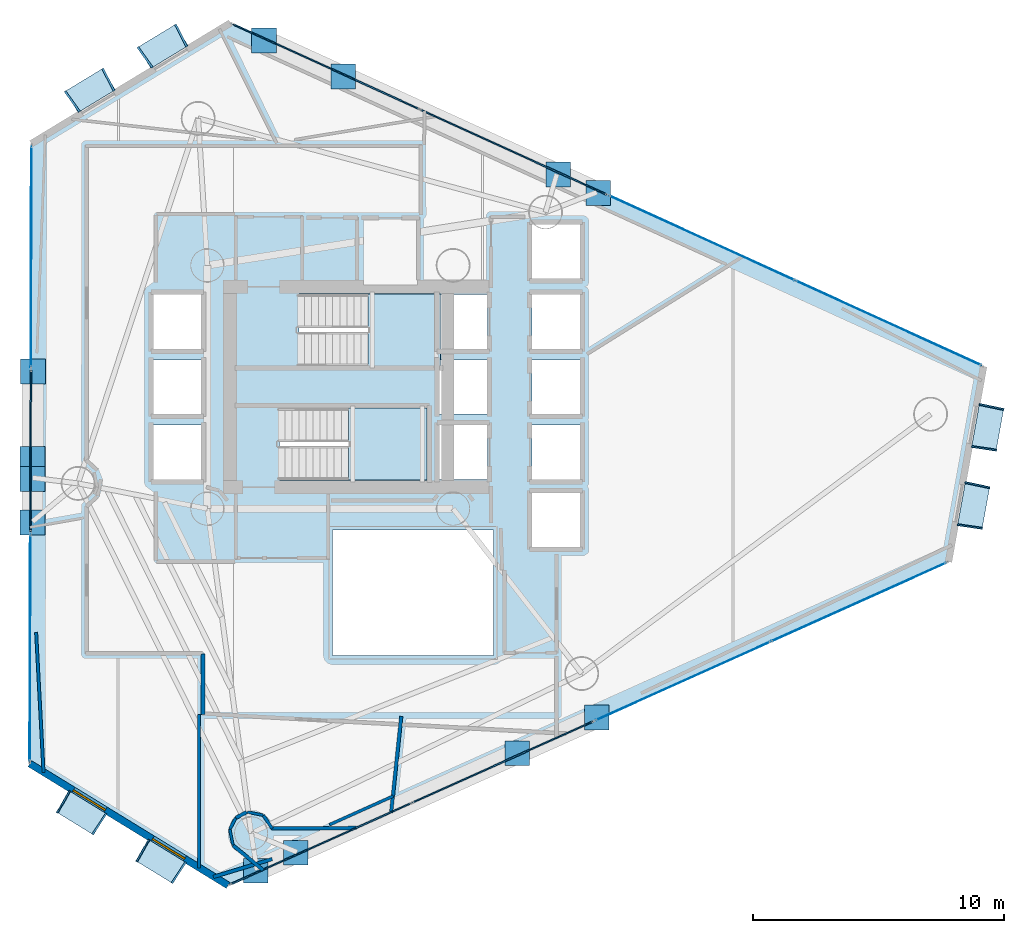
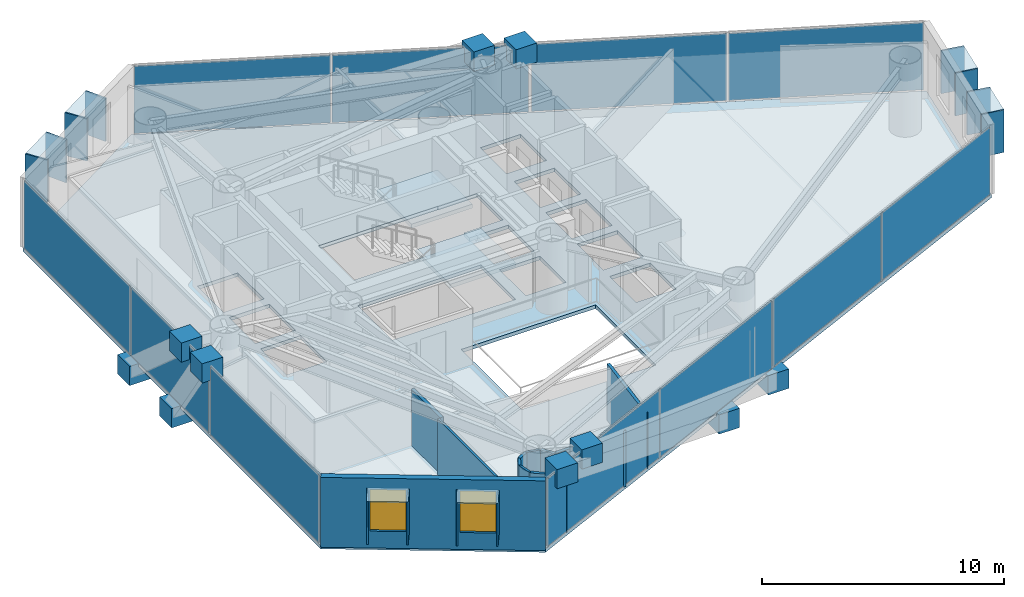
# One storey, part 17 of 23: 41 plates, 14 walls, 3 slabs, 2 windows, 2 openings, 9 elements without a shape of their own.
"""IFC4 building model written with IfcOpenShell, lengths in metres."""

from ifc_helpers import new_model, si_unit, direction, frame, frame_2d, origin, origin_2d, place, context, subcontext, project, spatial, polyline, rectangle, outline, extrude, material, layer, layer_set, type_object, element, fill, aggregate, save


model = new_model("IFC4")

# Units and contexts
model_context = context("Model", 3, precision=1e-05, world=origin(), true_north=direction((0.0, 1.0)))
body_context = subcontext(model_context, "Body", "Model", "MODEL_VIEW")
ifc_project = project(units=[si_unit("LENGTHUNIT", "METRE"), si_unit("AREAUNIT", "SQUARE_METRE"), si_unit("VOLUMEUNIT", "CUBIC_METRE"), si_unit("PLANEANGLEUNIT", "RADIAN"), si_unit("MASSUNIT", "GRAM", prefix="KILO")], contexts=[model_context])

# Site, building, storey
site_placement = place(None, origin())
site = spatial("IfcSite", under=ifc_project, at=site_placement, CompositionType="ELEMENT")
building_placement = place(site_placement, origin())
building = spatial("IfcBuilding", under=site, at=building_placement, Name="Qianvela Tower", CompositionType="ELEMENT")
storey_placement = place(building_placement, frame((0.0, 0.0, 147.60009765625)))
storey = spatial("IfcBuildingStorey", under=building, at=storey_placement, Name="L37", CompositionType="ELEMENT", Elevation=147.60009765625)

# Curtain wall, plates
ifc_material_1 = material(Name="Anodised Architectural Aluminium and Insulated Spandrel Panel", Category="aluminium")
ifc_layer_1 = layer(ifc_material_1, 0.179931640625)
ifc_layer_set_1 = layer_set([ifc_layer_1], Name="Anodised Architectural Aluminium and Insulated Spandrel Panel")
curtain_wall_type_1 = type_object("IfcCurtainWallType", Name="CW-BRACEBAY", PredefinedType="USERDEFINED", material=ifc_layer_set_1)
curtain_wall_1_placement = place(storey_placement, origin())
curtain_wall_1 = element("IfcCurtainWall", 1, at=curtain_wall_1_placement, inside=storey, type_object=curtain_wall_type_1, Name="L37 CW-BRACEBAY Curtain Wall 02B", ObjectType="CURTAIN_WALL_SYSTEM", PredefinedType="USERDEFINED")
ifc_material_2 = material(Name="Insulated Aluminium Spandrel Panel with Mineral-Wool Backpan", Category="aluminium")
ifc_layer_2 = layer(ifc_material_2, 0.06005859375)
ifc_layer_set_2 = layer_set([ifc_layer_2], Name="Insulated Aluminium Spandrel Panel with Mineral-Wool Backpan")
plate_type_1 = type_object("IfcPlateType", Name="CW-BRACEBAY-PNL", PredefinedType="CURTAIN_PANEL", material=ifc_layer_set_2)
plate_1_placement = place(storey_placement, frame((40.81103515625, 38.06689453125, 0.06494140625), z_axis=(0.0, 0.0, 1.0), x_axis=(-0.909863945078, 0.414906738251, 0.0)))
plate_1 = element("IfcPlate", 2, at=plate_1_placement, type_object=plate_type_1, Name="CW-9 panel 1.1", PredefinedType="CURTAIN_PANEL", context=body_context, shape_type="SweptSolid", body=[
    extrude(rectangle(XDim=8.149169921875, YDim=0.06005859375, at=origin_2d()), origin(), (0.0, 0.0, 1.0), 3.389892578125),
])
plate_2_placement = place(storey_placement, frame((33.337158203125, 41.474853515625, 0.06494140625), z_axis=(0.0, 0.0, 1.0), x_axis=(-0.909863945078, 0.414906738251, 0.0)))
plate_2 = element("IfcPlate", 3, at=plate_2_placement, type_object=plate_type_1, Name="CW-9 panel 2.1", PredefinedType="CURTAIN_PANEL", context=body_context, shape_type="SweptSolid", body=[
    extrude(rectangle(XDim=8.149169921875, YDim=0.06005859375, at=origin_2d()), origin(), (0.0, 0.0, 1.0), 3.389892578125),
])
aggregate(curtain_wall_1, [plate_1, plate_2])

# Curtain wall, plate
curtain_wall_2_placement = place(storey_placement, origin())
curtain_wall_2 = element("IfcCurtainWall", 4, at=curtain_wall_2_placement, inside=storey, type_object=curtain_wall_type_1, Name="L37 CW-BRACEBAY Curtain Wall 04B", ObjectType="CURTAIN_WALL_SYSTEM", PredefinedType="USERDEFINED")
plate_3_placement = place(storey_placement, frame((21.555419921875, 26.15234375, 0.06494140625), z_axis=(0.0, 0.0, 1.0), x_axis=(-0.002804909779, -0.999996066233, 0.0)))
plate_3 = element("IfcPlate", 5, at=plate_3_placement, type_object=plate_type_1, Name="CW-9 panel 1.1", PredefinedType="CURTAIN_PANEL", context=body_context, shape_type="SweptSolid", body=[
    extrude(rectangle(XDim=6.429931640625, YDim=0.06005859375, at=origin_2d()), origin(), (0.0, 0.0, 1.0), 3.389892578125),
])
aggregate(curtain_wall_2, [plate_3])

# Curtain wall, plates
curtain_wall_3_placement = place(storey_placement, origin())
curtain_wall_3 = element("IfcCurtainWall", 6, at=curtain_wall_3_placement, inside=storey, type_object=curtain_wall_type_1, Name="L37 CW-BRACEBAY Curtain Wall 06A", ObjectType="CURTAIN_WALL_SYSTEM", PredefinedType="USERDEFINED")
plate_4_placement = place(storey_placement, frame((33.12939453125, 10.493896484375, 0.06494140625), z_axis=(0.0, 0.0, 1.0), x_axis=(0.912169646579, 0.409812805876, 0.0)))
plate_4 = element("IfcPlate", 7, at=plate_4_placement, type_object=plate_type_1, Name="CW-9 panel 1.1", PredefinedType="CURTAIN_PANEL", context=body_context, shape_type="SweptSolid", body=[
    extrude(rectangle(XDim=7.882568359375, YDim=0.06005859375, at=origin_2d()), origin(), (0.0, 0.0, 1.0), 3.389892578125),
])
plate_5_placement = place(storey_placement, frame((40.378662109375, 13.7509765625, 0.06494140625), z_axis=(0.0, 0.0, 1.0), x_axis=(0.912169646579, 0.409812805876, 0.0)))
plate_5 = element("IfcPlate", 8, at=plate_5_placement, type_object=plate_type_1, Name="CW-9 panel 2.1", PredefinedType="CURTAIN_PANEL", context=body_context, shape_type="SweptSolid", body=[
    extrude(rectangle(XDim=7.882568359375, YDim=0.06005859375, at=origin_2d()), origin(), (0.0, 0.0, 1.0), 3.389892578125),
])
aggregate(curtain_wall_3, [plate_4, plate_5])

ifc_material_3 = material(Name="Anodised Architectural Aluminium and Low-E Glass", Category="aluminium")
ifc_layer_3 = layer(ifc_material_3, 0.169921875)
ifc_layer_set_3 = layer_set([ifc_layer_3], Name="Anodised Architectural Aluminium and Low-E Glass")
curtain_wall_type_2 = type_object("IfcCurtainWallType", Name="CW-COLIV-Z34", PredefinedType="USERDEFINED", material=ifc_layer_set_3)
curtain_wall_4_placement = place(storey_placement, origin())
curtain_wall_4 = element("IfcCurtainWall", 9, at=curtain_wall_4_placement, inside=storey, type_object=curtain_wall_type_2, Name="L37 CW-COLIV-Z34 Curtain Wall 02A", ObjectType="CURTAIN_WALL_SYSTEM", PredefinedType="USERDEFINED")
ifc_material_4 = material(Name="Double-Silver Low-E Insulated Glass", Category="glass")
ifc_layer_4 = layer(ifc_material_4, 0.028076171875)
ifc_layer_set_4 = layer_set([ifc_layer_4], Name="Double-Silver Low-E Insulated Glass")
plate_type_2 = type_object("IfcPlateType", Name="CW-COLIV-Z34-PNL", PredefinedType="CURTAIN_PANEL", material=ifc_layer_set_4)
plate_6_placement = place(storey_placement, frame((55.754150390625, 31.252685546875, 0.06494140625), z_axis=(0.0, 0.0, 1.0), x_axis=(-0.90986589662, 0.414902458618, 0.0)))
plate_6 = element("IfcPlate", 10, at=plate_6_placement, type_object=plate_type_2, Name="CW-4 panel 1.1", PredefinedType="CURTAIN_PANEL", context=body_context, shape_type="SweptSolid", body=[
    extrude(rectangle(XDim=8.1025390625, YDim=0.028076171875, at=origin_2d()), origin(), (0.0, 0.0, 1.0), 3.389892578125),
])
plate_7_placement = place(storey_placement, frame((48.32275390625, 34.641357421875, 0.06494140625), z_axis=(0.0, 0.0, 1.0), x_axis=(-0.90986589662, 0.414902458618, 0.0)))
plate_7 = element("IfcPlate", 11, at=plate_7_placement, type_object=plate_type_2, Name="CW-4 panel 2.1", PredefinedType="CURTAIN_PANEL", context=body_context, shape_type="SweptSolid", body=[
    extrude(rectangle(XDim=8.1025390625, YDim=0.028076171875, at=origin_2d()), origin(), (0.0, 0.0, 1.0), 3.389892578125),
])
aggregate(curtain_wall_4, [plate_6, plate_7])

# Curtain wall, plate
curtain_wall_5_placement = place(storey_placement, origin())
curtain_wall_5 = element("IfcCurtainWall", 12, at=curtain_wall_5_placement, inside=storey, type_object=curtain_wall_type_2, Name="L37 CW-COLIV-Z34 Curtain Wall 04A", ObjectType="CURTAIN_WALL_SYSTEM", PredefinedType="USERDEFINED")
plate_8_placement = place(storey_placement, frame((21.5771484375, 33.892333984375, 0.06494140625), z_axis=(0.0, 0.0, 1.0), x_axis=(-0.002791468947, -0.999996103843, 0.0)))
plate_8 = element("IfcPlate", 13, at=plate_8_placement, type_object=plate_type_2, Name="CW-4 panel 1.1", PredefinedType="CURTAIN_PANEL", context=body_context, shape_type="SweptSolid", body=[
    extrude(rectangle(XDim=8.7900390625, YDim=0.028076171875, at=origin_2d()), origin(), (0.0, 0.0, 1.0), 3.389892578125),
])
aggregate(curtain_wall_5, [plate_8])

curtain_wall_6_placement = place(storey_placement, origin())
curtain_wall_6 = element("IfcCurtainWall", 14, at=curtain_wall_6_placement, inside=storey, type_object=curtain_wall_type_2, Name="L37 CW-COLIV-Z34 Curtain Wall 04C", ObjectType="CURTAIN_WALL_SYSTEM", PredefinedType="USERDEFINED")
plate_9_placement = place(storey_placement, frame((21.533447265625, 18.304443359375, 0.06494140625), z_axis=(0.0, 0.0, 1.0), x_axis=(-0.002791236644, -0.999996104491, 0.0)))
plate_9 = element("IfcPlate", 15, at=plate_9_placement, type_object=plate_type_2, Name="CW-4 panel 1.1", PredefinedType="CURTAIN_PANEL", context=body_context, shape_type="SweptSolid", body=[
    extrude(rectangle(XDim=9.005615234375, YDim=0.028076171875, at=origin_2d()), origin(), (0.0, 0.0, 1.0), 3.389892578125),
])
aggregate(curtain_wall_6, [plate_9])

# Curtain wall, plates
curtain_wall_7_placement = place(storey_placement, origin())
curtain_wall_7 = element("IfcCurtainWall", 16, at=curtain_wall_7_placement, inside=storey, type_object=curtain_wall_type_2, Name="L37 CW-COLIV-Z34 Curtain Wall 06B", ObjectType="CURTAIN_WALL_SYSTEM", PredefinedType="USERDEFINED")
plate_10_placement = place(storey_placement, frame((47.564453125, 16.979248046875, 0.06494140625), z_axis=(0.0, 0.0, 1.0), x_axis=(0.912170558088, 0.409810777016, 0.0)))
plate_10 = element("IfcPlate", 17, at=plate_10_placement, type_object=plate_type_2, Name="CW-4 panel 1.1", PredefinedType="CURTAIN_PANEL", context=body_context, shape_type="SweptSolid", body=[
    extrude(rectangle(XDim=7.613037109375, YDim=0.028076171875, at=origin_2d()), origin(), (0.0, 0.0, 1.0), 3.389892578125),
])
plate_11_placement = place(storey_placement, frame((54.568115234375, 20.125732421875, 0.06494140625), z_axis=(0.0, 0.0, 1.0), x_axis=(0.912170558088, 0.409810777016, 0.0)))
plate_11 = element("IfcPlate", 18, at=plate_11_placement, type_object=plate_type_2, Name="CW-4 panel 2.1", PredefinedType="CURTAIN_PANEL", context=body_context, shape_type="SweptSolid", body=[
    extrude(rectangle(XDim=7.613037109375, YDim=0.028076171875, at=origin_2d()), origin(), (0.0, 0.0, 1.0), 3.389892578125),
])
aggregate(curtain_wall_7, [plate_10, plate_11])

# Plates
ifc_material_5 = material(Name="Steel Q420GJC", Category="steel")
ifc_layer_5 = layer(ifc_material_5, 0.1298828125)
ifc_layer_set_5 = layer_set([ifc_layer_5], Name="Steel Q420GJC")
plate_type_3 = type_object("IfcPlateType", Name="PT-ENDCAP-130", PredefinedType="USERDEFINED", material=ifc_layer_set_5)
for number, where, z_axis, x_axis, name in (
    (19, (34.021728515625, 41.07470703125, -0.98583984375), (0.0, 0.0, 1.0), (1.0, 0.0, 0.0), "L37 Hollow Section End Cap Plate A"),
    (20, (44.182373046875, 36.441650390625, 2.751953125), (0.0, 0.0, 1.0), (1.0, 0.0, 0.0), "L37 Hollow Section End Cap Plate B"),
    (21, (30.857421875, 42.517822265625, -0.98388671875), (0.0, 0.0, 1.0), (1.0, 0.0, 0.0), "L37 Hollow Section End Cap Plate A"),
    (22, (42.58837890625, 37.16845703125, 2.74951171875), (0.0, 0.0, 1.0), (1.0, 0.0, 0.0), "L37 Hollow Section End Cap Plate B"),
    (23, (21.644287109375, 29.324462890625, -1.0068359375), (0.0, 0.0, 1.0), (1.0, 0.0, 0.0), "L37 Hollow Section End Cap Plate A"),
    (24, (21.63232421875, 25.0390625, 2.7724609375), (0.0, 0.0, 1.0), (1.0, 0.0, 0.0), "L37 Hollow Section End Cap Plate B"),
    (25, (21.634521484375, 25.83544921875, -1.01708984375), (0.0, 0.0, 1.0), (1.0, 0.0, 0.0), "L37 Hollow Section End Cap Plate A"),
    (26, (21.62744140625, 23.298095703125, 2.78271484375), (0.0, 0.0, 1.0), (1.0, 0.0, 0.0), "L37 Hollow Section End Cap Plate B"),
    (27, (40.95556640625, 14.097900390625, -0.98583984375), (0.0, 0.0, 1.0), (1.0, 0.0, 0.0), "L37 Hollow Section End Cap Plate A"),
    (28, (30.5302734375, 9.413818359375, 2.75146484375), (0.0, 0.0, 1.0), (1.0, 0.0, 0.0), "L37 Hollow Section End Cap Plate B"),
    (29, (44.128173828125, 15.523193359375, -0.9833984375), (0.0, 0.0, 1.0), (1.0, 0.0, 0.0), "L37 Hollow Section End Cap Plate A"),
    (30, (32.12841796875, 10.1318359375, 2.74951171875), (0.0, 0.0, 1.0), (1.0, 0.0, 0.0), "L37 Hollow Section End Cap Plate B"),
):
    element("IfcPlate", number, at=place(storey_placement, frame(where, z_axis=z_axis, x_axis=x_axis)), inside=storey, type_object=plate_type_3, Name=name, ObjectType="END_CAP", PredefinedType="USERDEFINED", context=body_context, shape_type="SweptSolid", body=[
        extrude(rectangle(XDim=0.989990234375, YDim=0.989990234375, at=origin_2d()), origin(), (0.0, 0.0, 1.0), 0.969970703125),
    ])

# Slab
ifc_material_6 = material(Name="Concrete C40", Category="concrete")
ifc_layer_6 = layer(ifc_material_6, 0.179931640625)
ifc_layer_set_6 = layer_set([ifc_layer_6], Name="Concrete C40")
slab_type_1 = type_object("IfcSlabType", Name="SL-FLOOR-180", PredefinedType="FLOOR", material=ifc_layer_set_6)
slab_1_placement = place(storey_placement, frame((0.0, 0.0, -0.18017578125)))
element("IfcSlab", 31, at=slab_1_placement, inside=storey, type_object=slab_type_1, Name="L37 Composite Structural Floor Slab", PredefinedType="FLOOR", context=body_context, shape_type="SweptSolid", body=[
    extrude(outline(polyline([(58.145263671875, 21.73291015625), (59.544921875, 29.524169921875), (29.525390625, 43.213134765625), (21.589599609375, 38.40234375), (21.520751953125, 13.686767578125), (29.42919921875, 8.83154296875), (58.145263671875, 21.73291015625)]), holes=[polyline([(40.0, 23.0), (33.60009765625, 23.0), (33.60009765625, 18.0), (40.0, 18.0), (40.0, 23.0)]), polyline([(28.360107421875, 25.02001953125), (28.360107421875, 27.179931640625), (26.43994140625, 27.179931640625), (26.43994140625, 25.02001953125), (28.360107421875, 25.02001953125)]), polyline([(37.35009765625, 25.0), (37.35009765625, 27.860107421875), (31.469970703125, 27.860107421875), (31.469970703125, 25.0), (37.35009765625, 25.0)]), polyline([(28.360107421875, 27.6201171875), (28.360107421875, 29.780029296875), (26.43994140625, 29.780029296875), (26.43994140625, 27.6201171875), (28.360107421875, 27.6201171875)]), polyline([(37.89990234375, 32.3798828125), (37.89990234375, 32.39990234375), (32.25, 32.39990234375), (32.25, 29.5400390625), (37.840087890625, 29.5400390625), (37.840087890625, 27.6201171875), (39.760009765625, 27.6201171875), (39.760009765625, 29.780029296875), (37.89990234375, 29.780029296875), (37.89990234375, 30.219970703125), (39.760009765625, 30.219970703125), (39.760009765625, 32.3798828125), (37.89990234375, 32.3798828125)]), polyline([(28.360107421875, 30.219970703125), (28.360107421875, 32.3798828125), (26.43994140625, 32.3798828125), (26.43994140625, 30.219970703125), (28.360107421875, 30.219970703125)]), polyline([(43.4599609375, 24.47998046875), (41.5400390625, 24.47998046875), (41.5400390625, 22.320068359375), (43.4599609375, 22.320068359375), (43.4599609375, 24.47998046875)]), polyline([(39.760009765625, 25.02001953125), (39.760009765625, 27.179931640625), (37.840087890625, 27.179931640625), (37.840087890625, 25.02001953125), (39.760009765625, 25.02001953125)]), polyline([(43.4599609375, 25.02001953125), (43.4599609375, 27.179931640625), (41.5400390625, 27.179931640625), (41.5400390625, 25.02001953125), (43.4599609375, 25.02001953125)]), polyline([(43.4599609375, 27.6201171875), (43.4599609375, 29.780029296875), (41.5400390625, 29.780029296875), (41.5400390625, 27.6201171875), (43.4599609375, 27.6201171875)]), polyline([(43.4599609375, 30.219970703125), (43.4599609375, 32.3798828125), (41.5400390625, 32.3798828125), (41.5400390625, 30.219970703125), (43.4599609375, 30.219970703125)]), polyline([(43.4599609375, 33.02001953125), (43.4599609375, 35.179931640625), (41.5400390625, 35.179931640625), (41.5400390625, 33.02001953125), (43.4599609375, 33.02001953125)])]), origin(), (0.0, 0.0, 1.0), 0.18017578125),
])

# Stair, slab
ifc_material_7 = material(Name="Concrete C40", Category="concrete")
stair_type = type_object("IfcStairType", Name="ST-DOGLEG-1350-R168-N22", PredefinedType="HALF_TURN_STAIR", material=ifc_material_7)
stair_1_placement = place(storey_placement, origin())
stair_1 = element("IfcStair", 32, at=stair_1_placement, inside=storey, type_object=stair_type, Name="L37 Smoke-Proof Core Stair ST-1", PredefinedType="HALF_TURN_STAIR")
ifc_material_8 = material(Name="Concrete C40", Category="concrete")
ifc_layer_7 = layer(ifc_material_8, 0.199951171875)
ifc_layer_set_7 = layer_set([ifc_layer_7], Name="Concrete C40")
slab_type_2 = type_object("IfcSlabType", Name="SL-STAIR-LANDING-200", PredefinedType="LANDING", material=ifc_layer_set_7)
slab_2_placement = place(storey_placement, frame((0.0, 0.0, 1.64990234375)))
slab_2 = element("IfcSlab", 33, at=slab_2_placement, type_object=slab_type_2, Name="ST-1 landing 1", PredefinedType="LANDING", context=body_context, shape_type="SweptSolid", body=[
    extrude(outline(polyline([(35.0, 29.5400390625), (37.89990234375, 29.5400390625), (37.89990234375, 32.39990234375), (35.0, 32.39990234375), (35.0, 29.5400390625)])), origin(), (0.0, 0.0, 1.0), 0.199951171875),
])
aggregate(stair_1, [slab_2])

stair_2_placement = place(storey_placement, origin())
stair_2 = element("IfcStair", 34, at=stair_2_placement, inside=storey, type_object=stair_type, Name="L37 Smoke-Proof Core Stair ST-2", PredefinedType="HALF_TURN_STAIR")
slab_3_placement = place(storey_placement, frame((0.0, 0.0, 1.64990234375)))
slab_3 = element("IfcSlab", 35, at=slab_3_placement, type_object=slab_type_2, Name="ST-2 landing 1", PredefinedType="LANDING", context=body_context, shape_type="SweptSolid", body=[
    extrude(outline(polyline([(34.219970703125, 25.0), (37.35009765625, 25.0), (37.35009765625, 27.860107421875), (34.219970703125, 27.860107421875), (34.219970703125, 25.0)])), origin(), (0.0, 0.0, 1.0), 0.199951171875),
])
aggregate(stair_2, [slab_3])

# Plates
ifc_material_9 = material(Name="Vitrified Architectural Terracotta Panel", Category="masonry")
ifc_layer_8 = layer(ifc_material_9, 0.06494140625)
ifc_layer_set_8 = layer_set([ifc_layer_8], Name="Vitrified Architectural Terracotta Panel")
plate_type_4 = type_object("IfcPlateType", Name="TERRACOTTA-SUNSHADE-HOOD-FOLD-B", PredefinedType="USERDEFINED", material=ifc_layer_set_8)
for number, where, z_axis, x_axis, name in (
    (36, (59.15087890625, 23.965087890625, 2.9599609375), (0.0, 0.0, 1.0), (0.176794433651, 0.984247798184, 0.0), "L37 Terracotta Sunshade Hood FOLD-B"),
    (37, (59.710693359375, 27.08154296875, 2.9599609375), (0.0, 0.0, 1.0), (0.176794433651, 0.984247798184, 0.0), "L37 Terracotta Sunshade Hood FOLD-B"),
    (38, (23.58203125, 11.72314453125, 2.9599609375), (0.0, 0.0, 1.0), (0.85222222712, -0.523179964833, 0.0), "L37 Terracotta Sunshade Hood FOLD-B"),
    (39, (26.745361328125, 9.781005859375, 2.9599609375), (0.0, 0.0, 1.0), (0.85222222712, -0.523179964833, 0.0), "L37 Terracotta Sunshade Hood FOLD-B"),
):
    element("IfcPlate", number, at=place(storey_placement, frame(where, z_axis=z_axis, x_axis=x_axis)), inside=storey, type_object=plate_type_4, Name=name, ObjectType="SUNSHADE", PredefinedType="USERDEFINED", context=body_context, shape_type="SweptSolid", body=[
        extrude(rectangle(XDim=1.739990234375, YDim=0.989990234375, at=origin_2d()), origin(), (0.0, 0.0, 1.0), 0.06005859375),
    ])
ifc_material_10 = material(Name="Vitrified Architectural Terracotta Panel", Category="masonry")
ifc_layer_9 = layer(ifc_material_10, 0.074951171875)
ifc_layer_set_9 = layer_set([ifc_layer_9], Name="Vitrified Architectural Terracotta Panel")
plate_type_5 = type_object("IfcPlateType", Name="TERRACOTTA-SUNSHADE-HOOD-FOLD-D", PredefinedType="USERDEFINED", material=ifc_layer_set_9)
for number, where, z_axis, x_axis, name in (
    (40, (26.836181640625, 42.27880859375, 2.9599609375), (0.0, 0.0, 1.0), (-0.8551290989, -0.518415108012, 0.0), "L37 Terracotta Sunshade Hood FOLD-D"),
    (41, (23.935546875, 40.520263671875, 2.9599609375), (0.0, 0.0, 1.0), (-0.8551290989, -0.518415108012, 0.0), "L37 Terracotta Sunshade Hood FOLD-D"),
):
    element("IfcPlate", number, at=place(storey_placement, frame(where, z_axis=z_axis, x_axis=x_axis)), inside=storey, type_object=plate_type_5, Name=name, ObjectType="SUNSHADE", PredefinedType="USERDEFINED", context=body_context, shape_type="SweptSolid", body=[
        extrude(rectangle(XDim=1.739990234375, YDim=0.989990234375, at=origin_2d()), origin(), (0.0, 0.0, 1.0), 0.06005859375),
    ])
ifc_material_11 = material(Name="Vitrified Architectural Terracotta Side Fin Panel", Category="masonry")
ifc_layer_10 = layer(ifc_material_11, 0.070068359375)
ifc_layer_set_10 = layer_set([ifc_layer_10], Name="Vitrified Architectural Terracotta Side Fin Panel")
plate_type_6 = type_object("IfcPlateType", Name="TERRACOTTA-SUNSHADE-STRUT-FOLD-B", PredefinedType="USERDEFINED", material=ifc_layer_set_10)
for number, where, z_axis, x_axis, name in (
    (42, (59.002197265625, 23.13818359375, 0.85009765625), (0.0, 0.0, 1.0), (0.14665451072, 0.98918777514, 0.0), "L37 Terracotta Sunshade Side Fin HL FOLD-B"),
    (43, (59.29931640625, 24.7919921875, 0.85009765625), (0.0, 0.0, 1.0), (0.206769439493, 0.978389696845, 0.0), "L37 Terracotta Sunshade Side Fin HR FOLD-B"),
    (44, (59.56201171875, 26.2548828125, 0.85009765625), (0.0, 0.0, 1.0), (0.14665451072, 0.98918777514, 0.0), "L37 Terracotta Sunshade Side Fin HL FOLD-B"),
    (45, (59.859130859375, 27.908447265625, 0.85009765625), (0.0, 0.0, 1.0), (0.206769439493, 0.978389696845, 0.0), "L37 Terracotta Sunshade Side Fin HR FOLD-B"),
    (46, (22.8662109375, 12.16259765625, 0.85009765625), (0.0, 0.0, 1.0), (0.867801881131, -0.496910349162, 0.0), "L37 Terracotta Sunshade Side Fin HL FOLD-B"),
    (47, (24.2978515625, 11.28369140625, 0.85009765625), (0.0, 0.0, 1.0), (0.835847604597, -0.548961548644, 0.0), "L37 Terracotta Sunshade Side Fin HR FOLD-B"),
    (48, (26.029541015625, 10.220458984375, 0.85009765625), (0.0, 0.0, 1.0), (0.867801881131, -0.496910349162, 0.0), "L37 Terracotta Sunshade Side Fin HL FOLD-B"),
    (49, (27.461181640625, 9.341552734375, 0.85009765625), (0.0, 0.0, 1.0), (0.835847604597, -0.548961548644, 0.0), "L37 Terracotta Sunshade Side Fin HR FOLD-B"),
):
    element("IfcPlate", number, at=place(storey_placement, frame(where, z_axis=z_axis, x_axis=x_axis)), inside=storey, type_object=plate_type_6, Name=name, ObjectType="SUNSHADE", PredefinedType="USERDEFINED", context=body_context, shape_type="SweptSolid", body=[
        extrude(rectangle(XDim=0.070068359375, YDim=1.010009765625, at=origin_2d()), origin(), (0.0, 0.0, 1.0), 2.159912109375),
    ])
ifc_material_12 = material(Name="Vitrified Architectural Terracotta Side Fin Panel", Category="masonry")
ifc_layer_11 = layer(ifc_material_12, 0.080078125)
ifc_layer_set_11 = layer_set([ifc_layer_11], Name="Vitrified Architectural Terracotta Side Fin Panel")
plate_type_7 = type_object("IfcPlateType", Name="TERRACOTTA-SUNSHADE-STRUT-FOLD-D", PredefinedType="USERDEFINED", material=ifc_layer_set_11)
for number, where, z_axis, x_axis, name in (
    (50, (27.554443359375, 42.714111328125, 0.85009765625), (0.0, 0.0, 1.0), (-0.891196613111, -0.453617235982, 0.0), "L37 Terracotta Sunshade Side Fin HL FOLD-D"),
    (51, (26.117919921875, 41.84326171875, 0.85009765625), (0.0, 0.0, 1.0), (-0.814358691212, -0.580361888865, 0.0), "L37 Terracotta Sunshade Side Fin HR FOLD-D"),
    (52, (24.65380859375, 40.955810546875, 0.85009765625), (0.0, 0.0, 1.0), (-0.891196613111, -0.453617235982, 0.0), "L37 Terracotta Sunshade Side Fin HL FOLD-D"),
    (53, (23.21728515625, 40.084716796875, 0.85009765625), (0.0, 0.0, 1.0), (-0.814358691212, -0.580361888865, 0.0), "L37 Terracotta Sunshade Side Fin HR FOLD-D"),
):
    element("IfcPlate", number, at=place(storey_placement, frame(where, z_axis=z_axis, x_axis=x_axis)), inside=storey, type_object=plate_type_7, Name=name, ObjectType="SUNSHADE", PredefinedType="USERDEFINED", context=body_context, shape_type="SweptSolid", body=[
        extrude(rectangle(XDim=0.080078125, YDim=1.010009765625, at=origin_2d()), origin(), (0.0, 0.0, 1.0), 2.159912109375),
    ])

# Wall, openings, windows
ifc_material_13 = material(Name="Terracotta Cladding on Concrete C40", Category="masonry")
ifc_layer_12 = layer(ifc_material_13, 0.280029296875)
ifc_layer_set_12 = layer_set([ifc_layer_12], Name="Terracotta Cladding on Concrete C40")
wall_type_1 = type_object("IfcWallType", Name="TERRACOTTA-WALL-280", PredefinedType="SOLIDWALL", material=ifc_layer_set_12)
wall_1_placement = place(storey_placement, frame((21.520751953125, 13.686767578125, 0.0), z_axis=(0.0, 0.0, 1.0), x_axis=(0.852211562118, -0.523197336951, 0.0)))
wall_1 = element("IfcWall", 54, at=wall_1_placement, inside=storey, type_object=wall_type_1, Name="L37 Terracotta Chamfer Facet Wall 5", PredefinedType="SOLIDWALL", context=body_context, shape_type="SweptSolid", body=[
    extrude(rectangle(XDim=9.280029296875, YDim=0.280029296875, at=frame_2d((4.64013671875, 0.0))), origin(), (0.0, 0.0, 1.0), 3.52001953125),
])
opening_1_placement = place(wall_1_placement, frame((2.033935546875, 0.0, 0.85009765625)))
opening_1 = element("IfcOpeningElement", 55, at=opening_1_placement, cuts=wall_1, Name="Opening W-02", PredefinedType="OPENING", context=body_context, shape_type="SweptSolid", body=[
    extrude(rectangle(XDim=1.5, YDim=2.10009765625, at=frame_2d((0.75, 1.050048828125))), frame((0.0, 0.14990234375, 0.0), z_axis=(0.0, -1.0, 0.0), x_axis=(1.0, 0.0, 0.0)), (0.0, 0.0, 1.0), 0.300048828125),
])
opening_2_placement = place(wall_1_placement, frame((5.74609375, 0.0, 0.85009765625)))
opening_2 = element("IfcOpeningElement", 56, at=opening_2_placement, cuts=wall_1, Name="Opening W-02", PredefinedType="OPENING", context=body_context, shape_type="SweptSolid", body=[
    extrude(rectangle(XDim=1.5, YDim=2.10009765625, at=frame_2d((0.75, 1.050048828125))), frame((0.0, 0.14990234375, 0.0), z_axis=(0.0, -1.0, 0.0), x_axis=(1.0, 0.0, 0.0)), (0.0, 0.0, 1.0), 0.300048828125),
])
ifc_material_14 = material(Name="Thermally Broken Aluminium and Low-E Glass", Category="aluminium")
window_type = type_object("IfcWindowType", Name="WIN-TC-1500x2100", PartitioningType="DOUBLE_PANEL_VERTICAL", PredefinedType="WINDOW", material=ifc_material_14)
window_1_placement = place(opening_1_placement, origin())
window_1 = element("IfcWindow", 57, at=window_1_placement, inside=storey, type_object=window_type, Name="L37 Chamfer Facet Window 5.1", OverallHeight=2.10009765625, OverallWidth=1.5, PartitioningType="SINGLE_PANEL", PredefinedType="WINDOW", context=body_context, shape_type="SweptSolid", body=[
    extrude(rectangle(XDim=1.5, YDim=2.10009765625, at=frame_2d((0.75, 1.050048828125))), frame((0.0, 0.030029296875, 0.0), z_axis=(0.0, -1.0, 0.0), x_axis=(1.0, 0.0, 0.0)), (0.0, 0.0, 1.0), 0.06005859375),
])
fill(opening_1, window_1)
window_2_placement = place(opening_2_placement, origin())
window_2 = element("IfcWindow", 58, at=window_2_placement, inside=storey, type_object=window_type, Name="L37 Chamfer Facet Window 5.2", OverallHeight=2.10009765625, OverallWidth=1.5, PartitioningType="SINGLE_PANEL", PredefinedType="WINDOW", context=body_context, shape_type="SweptSolid", body=[
    extrude(rectangle(XDim=1.5, YDim=2.10009765625, at=frame_2d((0.75, 1.050048828125))), frame((0.0, 0.030029296875, 0.0), z_axis=(0.0, -1.0, 0.0), x_axis=(1.0, 0.0, 0.0)), (0.0, 0.0, 1.0), 0.06005859375),
])
fill(opening_2, window_2)

# Walls
ifc_material_15 = material(Name="Fire-Rated Acoustic Gypsum Board")
ifc_layer_13 = layer(ifc_material_15, 0.14990234375)
ifc_layer_set_13 = layer_set([ifc_layer_13], Name="Fire-Rated Acoustic Gypsum Board")
wall_type_2 = type_object("IfcWallType", Name="WT-CORR-150", PredefinedType="PARTITIONING", material=ifc_layer_set_13)
wall_2_placement = place(storey_placement, frame((28.430908203125, 15.64990234375, 0.0), z_axis=(0.0, 0.0, 1.0), x_axis=(0.0, 1.0, 0.0)))
element("IfcWall", 59, at=wall_2_placement, inside=storey, type_object=wall_type_2, Name="L37 Partition 56", PredefinedType="PARTITIONING", context=body_context, shape_type="SweptSolid", body=[
    extrude(rectangle(XDim=2.400146484375, YDim=0.14990234375, at=frame_2d((1.2001953125, 0.0))), origin(), (0.0, 0.0, 1.0), 2.83984375),
])
ifc_material_16 = material(Name="Lightweight Gypsum Room Partition")
ifc_layer_14 = layer(ifc_material_16, 0.10498046875)
ifc_layer_set_14 = layer_set([ifc_layer_14], Name="Lightweight Gypsum Room Partition")
wall_type_3 = type_object("IfcWallType", Name="WT-PART-105", PredefinedType="PARTITIONING", material=ifc_layer_set_14)
wall_3_placement = place(storey_placement, frame((28.268798828125, 15.64990234375, 0.0), z_axis=(0.0, 0.0, 1.0), x_axis=(0.0, -1.0, 0.0)))
element("IfcWall", 60, at=wall_3_placement, inside=storey, type_object=wall_type_3, Name="L37 Partition 63 seg 1", PredefinedType="PARTITIONING", context=body_context, shape_type="SweptSolid", body=[
    extrude(rectangle(XDim=6.125732421875, YDim=0.10498046875, at=frame_2d((3.06298828125, 0.0))), origin(), (0.0, 0.0, 1.0), 2.83984375),
])
for number, where, z_axis, x_axis, name in (
    (61, (30.81689453125, 11.6337890625, 0.0), (0.0, 0.0, 1.0), (-0.980829709325, 0.194866829667, 0.0), "L37 Partition 69"),
    (62, (29.49755859375, 11.06591796875, 0.0), (0.0, 0.0, 1.0), (0.195234371211, -0.98075661624, 0.0), "L37 Partition 72"),
):
    element("IfcWall", number, at=place(storey_placement, frame(where, z_axis=z_axis, x_axis=x_axis)), inside=storey, type_object=wall_type_3, Name=name, PredefinedType="PARTITIONING", context=body_context, shape_type="SweptSolid", body=[
        extrude(rectangle(XDim=0.638916015625, YDim=0.10498046875, at=frame_2d((0.3193359375, 0.0))), origin(), (0.0, 0.0, 1.0), 2.83984375),
    ])
ifc_material_17 = material(Name="Insulated Gypsum Stud Partition")
ifc_layer_15 = layer(ifc_material_17, 0.1201171875)
ifc_layer_set_15 = layer_set([ifc_layer_15], Name="Insulated Gypsum Stud Partition")
wall_type_4 = type_object("IfcWallType", Name="WT-PART-120", PredefinedType="PARTITIONING", material=ifc_layer_set_15)
wall_4_placement = place(storey_placement, frame((22.07080078125, 13.3291015625, 0.0), z_axis=(0.0, 0.0, 1.0), x_axis=(-0.05273726392, 0.998608422253, 0.0)))
element("IfcWall", 63, at=wall_4_placement, inside=storey, type_object=wall_type_4, Name="L37 Partition 65 seg 1", PredefinedType="PARTITIONING", context=body_context, shape_type="SweptSolid", body=[
    extrude(rectangle(XDim=5.6015625, YDim=0.1201171875, at=frame_2d((2.80078125, 0.0))), origin(), (0.0, 0.0, 1.0), 2.83984375),
])
wall_5_placement = place(storey_placement, frame((31.1884765625, 11.099853515625, 0.0), z_axis=(0.0, 0.0, 1.0), x_axis=(-0.559799741872, 0.828627931584, 0.0)))
element("IfcWall", 64, at=wall_5_placement, inside=storey, type_object=wall_type_4, Name="L37 Partition 68", PredefinedType="PARTITIONING", context=body_context, shape_type="SweptSolid", body=[
    extrude(rectangle(XDim=0.62841796875, YDim=0.1201171875, at=frame_2d((0.314208984375, 0.0))), origin(), (0.0, 0.0, 1.0), 2.83984375),
])
wall_6_placement = place(storey_placement, frame((29.729248046875, 11.513916015625, 0.0), z_axis=(0.0, 0.0, 1.0), x_axis=(-0.471424550379, -0.88190639713, 0.0)))
element("IfcWall", 65, at=wall_6_placement, inside=storey, type_object=wall_type_4, Name="L37 Partition 71", PredefinedType="PARTITIONING", context=body_context, shape_type="SweptSolid", body=[
    extrude(rectangle(XDim=0.484619140625, YDim=0.1201171875, at=frame_2d((0.2421875, 0.0))), origin(), (0.0, 0.0, 1.0), 2.83984375),
])
wall_7_placement = place(storey_placement, frame((36.011962890625, 12.39306640625, 0.0), z_axis=(0.0, 0.0, 1.0), x_axis=(-0.912162984594, -0.409827633934, 0.0)))
element("IfcWall", 66, at=wall_7_placement, inside=storey, type_object=wall_type_4, Name="L37 Partition 83", PredefinedType="PARTITIONING", context=body_context, shape_type="SweptSolid", body=[
    extrude(rectangle(XDim=2.779052734375, YDim=0.1201171875, at=frame_2d((1.3896484375, 0.0))), origin(), (0.0, 0.0, 1.0), 2.83984375),
])
ifc_material_18 = material(Name="Acoustic Double Gypsum Stud Partition")
ifc_layer_16 = layer(ifc_material_18, 0.139892578125)
ifc_layer_set_16 = layer_set([ifc_layer_16], Name="Acoustic Double Gypsum Stud Partition")
wall_type_5 = type_object("IfcWallType", Name="WT-ROOM-140", PredefinedType="PARTITIONING", material=ifc_layer_set_16)
wall_8_placement = place(storey_placement, frame((34.546875, 11.121826171875, 0.0), z_axis=(0.0, 0.0, 1.0), x_axis=(-0.999996992026, -0.002452741143, 0.0)))
element("IfcWall", 67, at=wall_8_placement, inside=storey, type_object=wall_type_5, Name="L37 Partition 67", PredefinedType="PARTITIONING", context=body_context, shape_type="SweptSolid", body=[
    extrude(rectangle(XDim=3.38427734375, YDim=0.139892578125, at=frame_2d((1.692138671875, 0.0))), origin(), (0.0, 0.0, 1.0), 2.83984375),
])
wall_9_placement = place(storey_placement, frame((30.16943359375, 11.75537109375, 0.0), z_axis=(0.0, 0.0, 1.0), x_axis=(-0.88190639713, -0.471424550379, 0.0)))
element("IfcWall", 68, at=wall_9_placement, inside=storey, type_object=wall_type_5, Name="L37 Partition 70", PredefinedType="PARTITIONING", context=body_context, shape_type="SweptSolid", body=[
    extrude(rectangle(XDim=0.484619140625, YDim=0.139892578125, at=frame_2d((0.2421875, 0.0))), origin(), (0.0, 0.0, 1.0), 2.83984375),
])
wall_10_placement = place(storey_placement, frame((29.633056640625, 10.421142578125, 0.0), z_axis=(0.0, 0.0, 1.0), x_axis=(0.773027698334, -0.634372270523, 0.0)))
element("IfcWall", 69, at=wall_10_placement, inside=storey, type_object=wall_type_5, Name="L37 Partition 73", PredefinedType="PARTITIONING", context=body_context, shape_type="SweptSolid", body=[
    extrude(rectangle(XDim=1.5458984375, YDim=0.139892578125, at=frame_2d((0.77294921875, 0.0))), origin(), (0.0, 0.0, 1.0), 2.83984375),
])
wall_11_placement = place(storey_placement, frame((31.184814453125, 9.88330078125, 0.0), z_axis=(0.0, 0.0, 1.0), x_axis=(-0.956848882389, -0.29058598774, 0.0)))
element("IfcWall", 70, at=wall_11_placement, inside=storey, type_object=wall_type_5, Name="L37 Partition 79 seg 1", PredefinedType="PARTITIONING", context=body_context, shape_type="SweptSolid", body=[
    extrude(rectangle(XDim=2.447509765625, YDim=0.139892578125, at=frame_2d((1.2236328125, 0.0))), origin(), (0.0, 0.0, 1.0), 2.83984375),
])
wall_12_placement = place(storey_placement, frame((36.330810546875, 15.5732421875, 0.0), z_axis=(0.0, 0.0, 1.0), x_axis=(-0.104546591031, -0.994519989896, 0.0)))
element("IfcWall", 71, at=wall_12_placement, inside=storey, type_object=wall_type_5, Name="L37 Partition 82", PredefinedType="PARTITIONING", context=body_context, shape_type="SweptSolid", body=[
    extrude(rectangle(XDim=3.862548828125, YDim=0.139892578125, at=frame_2d((1.93115234375, 0.0))), origin(), (0.0, 0.0, 1.0), 2.83984375),
])

save(model, "model.ifc")
